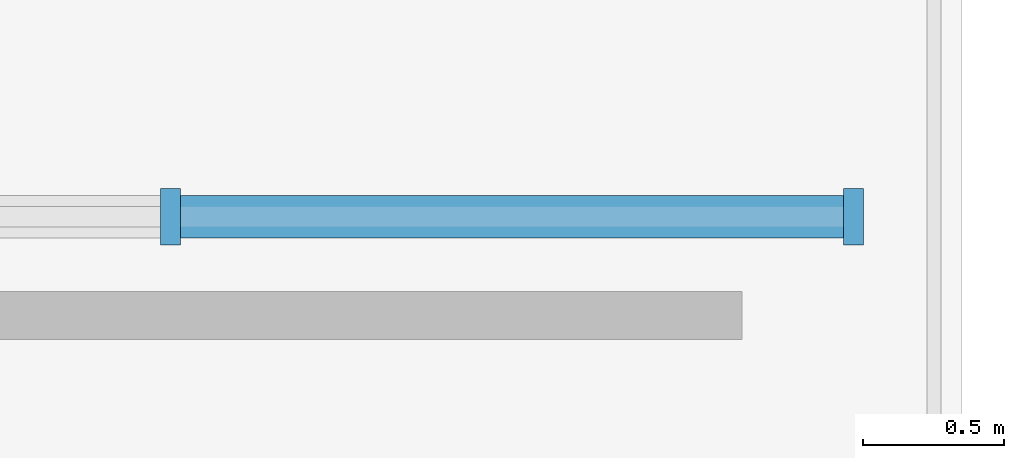
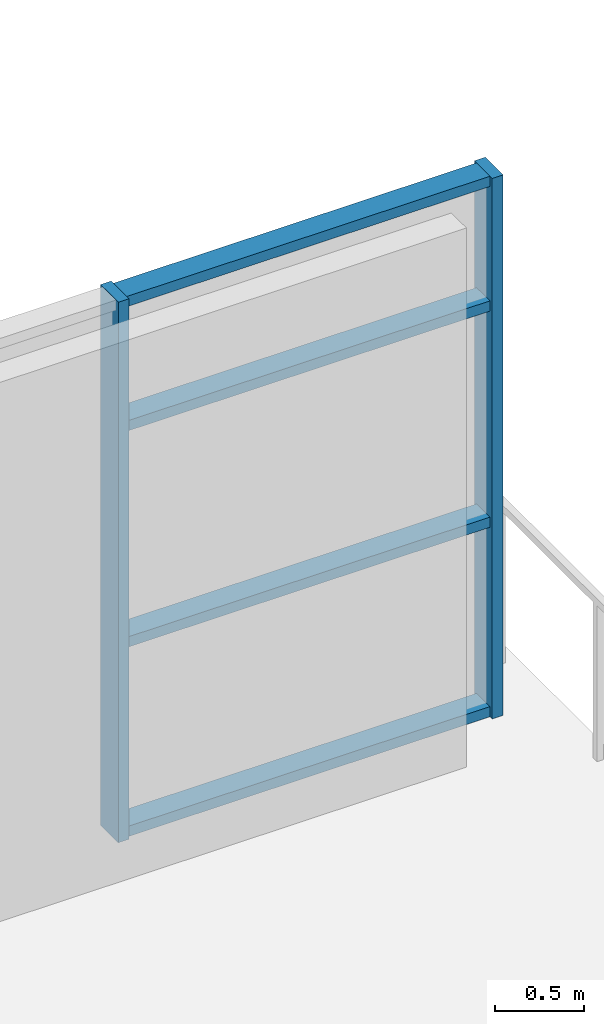
# One storey, part 43 of 83: 6 members, 1 element without a shape of its own.
"""IFC4 building model written with IfcOpenShell, lengths in metres."""

import ifcopenshell
import ifcopenshell.guid

model = None  # the IFC model being written
_history = None  # IfcOwnerHistory: only IFC2X3 demands one
_inside = {}  # id of a spatial element -> (the spatial element, [elements in it])
_under = {}  # id of a project, library or spatial element -> (it, [spatial elements below it])
_declared = {}  # id of a project -> (the project, [libraries it declares])
_typed = {}  # id of a type object -> (the type object, [elements of that type])
_made_of = {}  # id of a material, layer set ... -> (it, [elements and type objects made of it])


def new_model(schema):
    """Start an empty IFC model of exactly this schema.

    Asked for "IFC4X3", IfcOpenShell would pick the latest addendum, in which some entities
    have other attributes; the version numbers below select the first issue.
    IFC2X3 requires an IfcOwnerHistory on every rooted entity: one is made here for all.
    """
    global model, _history
    if schema == "IFC4X3":
        model = ifcopenshell.file(schema_version=(4, 3, 0, 0))
    else:
        model = ifcopenshell.file(schema=schema)
    _inside.clear()
    _under.clear()
    _declared.clear()
    _typed.clear()
    _made_of.clear()
    _history = None
    if model.schema == "IFC2X3":
        org = make("IfcOrganization", Name="unknown")
        user = make(
            "IfcPersonAndOrganization",
            ThePerson=make("IfcPerson", FamilyName="unknown"),
            TheOrganization=org,
        )
        app = make(
            "IfcApplication",
            ApplicationDeveloper=org,
            Version="unknown",
            ApplicationFullName="unknown",
            ApplicationIdentifier="unknown",
        )
        _history = make(
            "IfcOwnerHistory",
            OwningUser=user,
            OwningApplication=app,
            ChangeAction="ADDED",
            CreationDate=0,
        )
    return model


def make(cls, **values):
    """One entity of the class cls with the attributes given. An attribute that is None is left unset."""
    return model.create_entity(
        cls, **{name: value for name, value in values.items() if value is not None}
    )


def rooted(cls, **values):
    """An entity with a GlobalId (a new one), such as an element, a storey or a relation."""
    return make(cls, GlobalId=ifcopenshell.guid.new(), OwnerHistory=_history, **values)


def si_unit(unit_type, name, prefix=None):
    """IfcSIUnit, for example si_unit("LENGTHUNIT", "METRE", prefix="MILLI")."""
    return make("IfcSIUnit", UnitType=unit_type, Prefix=prefix, Name=name)


def assignment(units):
    """IfcUnitAssignment: the units of a project."""
    return None if units is None else make("IfcUnitAssignment", Units=units)


def point(xyz):
    """IfcCartesianPoint."""
    return None if xyz is None else make("IfcCartesianPoint", Coordinates=xyz)


def direction(xyz):
    """IfcDirection."""
    return None if xyz is None else make("IfcDirection", DirectionRatios=xyz)


def frame(location, z_axis=None, x_axis=None):
    """IfcAxis2Placement3D, a coordinate frame: its origin and axes. An axis left out is left unset."""
    return make(
        "IfcAxis2Placement3D",
        Location=point(location),
        Axis=direction(z_axis),
        RefDirection=direction(x_axis),
    )


def frame_2d(location, x_axis=None):
    """IfcAxis2Placement2D, a coordinate frame in the plane: its origin and x axis."""
    return make(
        "IfcAxis2Placement2D", Location=point(location), RefDirection=direction(x_axis)
    )


def origin():
    """The frame at (0, 0, 0) with its axes left unset."""
    return frame((0.0, 0.0, 0.0))


def origin_2d():
    """The frame at (0, 0) in the plane with its x axis left unset."""
    return frame_2d((0.0, 0.0))


def place(relative_to, where):
    """IfcLocalPlacement: puts the frame where relative to a parent placement (None: the world)."""
    return make(
        "IfcLocalPlacement", PlacementRelTo=relative_to, RelativePlacement=where
    )


def context(
    kind, dimensions, precision=None, world=None, true_north=None, identifier=None
):
    """IfcGeometricRepresentationContext, for example the 3D "Model" context."""
    return make(
        "IfcGeometricRepresentationContext",
        ContextIdentifier=identifier,
        ContextType=kind,
        CoordinateSpaceDimension=dimensions,
        Precision=precision,
        WorldCoordinateSystem=world,
        TrueNorth=true_north,
    )


def subcontext(parent, identifier, kind, view, scale=None):
    """IfcGeometricRepresentationSubContext, for example "Body" below "Model"."""
    return make(
        "IfcGeometricRepresentationSubContext",
        ContextIdentifier=identifier,
        ContextType=kind,
        ParentContext=parent,
        TargetScale=scale,
        TargetView=view,
    )


def project(units=None, contexts=None):
    """IfcProject with its units and contexts."""
    return rooted(
        "IfcProject",
        Name="project",
        RepresentationContexts=contexts,
        UnitsInContext=assignment(units),
    )


def spatial(cls, under=None, at=None, **own):
    """A site, building, storey or space (cls), placed at a placement, below another one or the project."""
    s = rooted(cls, ObjectPlacement=at, **own)
    if under is not None:
        _under.setdefault(under.id(), (under, []))[1].append(s)
    return s


def profile(cls, at=None, kind="AREA", **sizes):
    """A parametric profile (cls). Its sizes go by their IFC names, for example OverallWidth=200.0."""
    return make(cls, ProfileType=kind, Position=at, **sizes)


def rectangle(**sizes):
    """IfcRectangleProfileDef."""
    return profile("IfcRectangleProfileDef", **sizes)


def extrude(swept, where, along, depth):
    """IfcExtrudedAreaSolid: the profile swept, set in the frame where, extruded along a direction by depth."""
    return make(
        "IfcExtrudedAreaSolid",
        SweptArea=swept,
        Position=where,
        ExtrudedDirection=direction(along),
        Depth=depth,
    )


def shape(context_of_items, identifier, shape_type, items):
    """IfcShapeRepresentation: the items that make up one representation, for example the "Body"."""
    return make(
        "IfcShapeRepresentation",
        ContextOfItems=context_of_items,
        RepresentationIdentifier=identifier,
        RepresentationType=shape_type,
        Items=items,
    )


def material(Name=None, Category=None):
    """IfcMaterial."""
    return make("IfcMaterial", Name=Name, Category=Category)


def material_profile(
    of_material, cross_section, Name=None, Category=None, Priority=None
):
    """IfcMaterialProfile: a cross section and its material."""
    return make(
        "IfcMaterialProfile",
        Name=Name,
        Material=of_material,
        Profile=cross_section,
        Priority=Priority,
        Category=Category,
    )


def profile_set(profiles, Name=None, composite=None):
    """IfcMaterialProfileSet."""
    return make(
        "IfcMaterialProfileSet",
        Name=Name,
        MaterialProfiles=profiles,
        CompositeProfile=composite,
    )


def made_of(thing, what):
    """Note that an element or type object is made of a material, layer set ...; save() writes the relation."""
    if what is not None:
        _made_of.setdefault(what.id(), (what, []))[1].append(thing)
    return thing


def type_object(cls, material=None, **own):
    """A type object (cls), such as IfcWallType, which elements share."""
    return made_of(rooted(cls, **own), material)


def element(
    cls,
    number,
    at=None,
    inside=None,
    cuts=None,
    type_object=None,
    material=None,
    context=None,
    identifier="Body",
    shape_type=None,
    held_by="IfcProductDefinitionShape",
    body=None,
    shapes=None,
    **own,
):
    """One element of the class cls, such as IfcWall. Its Tag is "e" and its number.

    at: its placement. inside: the storey or other place that contains it. cuts: it is an
    opening in that element (IfcRelVoidsElement). A single representation is given by context,
    identifier, shape_type and body (its items); several are given by shapes. held_by: the class
    of the entity that holds the representations. save() writes the other relations.
    """
    e = rooted(cls, Tag="e%d" % number, ObjectPlacement=at, **own)
    if body is not None:
        shapes = [shape(context, identifier, shape_type, body)]
    if shapes is not None:
        e.Representation = make(held_by, Representations=shapes)
    if inside is not None:
        _inside.setdefault(inside.id(), (inside, []))[1].append(e)
    if cuts is not None:
        rooted(
            "IfcRelVoidsElement", RelatingBuildingElement=cuts, RelatedOpeningElement=e
        )
    if type_object is not None:
        _typed.setdefault(type_object.id(), (type_object, []))[1].append(e)
    return made_of(e, material)


def aggregate(whole, parts):
    """IfcRelAggregates: a whole, such as a stair, and the parts it consists of."""
    return rooted("IfcRelAggregates", RelatingObject=whole, RelatedObjects=parts)


def save(model, path):
    """Write the relations noted so far, then the file.

    IfcRelAggregates (storeys below a building ...), IfcRelContainedInSpatialStructure (elements
    in a storey), IfcRelDefinesByType, IfcRelAssociatesMaterial and IfcRelDeclares: one each for
    every whole, place, type object, material and project.
    """
    for whole, parts in _under.values():
        aggregate(whole, parts)
    for where, things in _inside.values():
        rooted(
            "IfcRelContainedInSpatialStructure",
            RelatedElements=things,
            RelatingStructure=where,
        )
    for kind, things in _typed.values():
        rooted("IfcRelDefinesByType", RelatedObjects=things, RelatingType=kind)
    for what, things in _made_of.values():
        rooted("IfcRelAssociatesMaterial", RelatedObjects=things, RelatingMaterial=what)
    for by, libraries in _declared.values():
        rooted("IfcRelDeclares", RelatingContext=by, RelatedDefinitions=libraries)
    model.write(path)


model = new_model("IFC4")

# Units and contexts
model_context = context("Model", 3, precision=1e-05, world=origin(), true_north=direction((0.0, 1.0)))
body_context = subcontext(model_context, "Body", "Model", "MODEL_VIEW")
ifc_project = project(units=[si_unit("LENGTHUNIT", "METRE"), si_unit("AREAUNIT", "SQUARE_METRE"), si_unit("VOLUMEUNIT", "CUBIC_METRE"), si_unit("PLANEANGLEUNIT", "RADIAN"), si_unit("MASSUNIT", "GRAM", prefix="KILO")], contexts=[model_context])

# Site, building, storey
site_placement = place(None, origin())
site = spatial("IfcSite", under=ifc_project, at=site_placement, CompositionType="ELEMENT")
building_placement = place(site_placement, origin())
building = spatial("IfcBuilding", under=site, at=building_placement, Name="Saryqyr Civic Hall", CompositionType="ELEMENT")
storey_placement = place(building_placement, frame((0.0, 0.0, 9.14990234375)))
storey = spatial("IfcBuildingStorey", under=building, at=storey_placement, Name="L02", CompositionType="ELEMENT", Elevation=9.14990234375)

# Curtain wall, members
ifc_material_1 = material(Name="Anodised aluminium and triple low-E glass", Category="aluminium")
curtain_wall_type = type_object("IfcCurtainWallType", Name="ENV-CW-HVY-69", PredefinedType="NOTDEFINED", material=ifc_material_1)
curtain_wall_placement = place(storey_placement, origin())
curtain_wall = element("IfcCurtainWall", 1, at=curtain_wall_placement, inside=storey, type_object=curtain_wall_type, Name="Curtain wall V2-PORTAL-CW-N-L02-2", PredefinedType="NOTDEFINED")
ifc_material_2 = material(Name="Anodised aluminium", Category="aluminium")
ifc_material_profile_1 = material_profile(ifc_material_2, rectangle(XDim=0.070068359375, YDim=0.199951171875, at=origin_2d()), Name="ALU MULLION 70x200")
ifc_profile_set_1 = profile_set([ifc_material_profile_1], Name="Anodised aluminium")
member_type_1 = type_object("IfcMemberType", Name="ENV-CW-MUL-220", PredefinedType="MULLION", material=ifc_profile_set_1)
member_1_placement = place(storey_placement, frame((65.594482421875, 134.14990234375, 0.0), z_axis=(0.0, 0.0, 1.0), x_axis=(1.0, 0.0, 0.0)))
member_1 = element("IfcMember", 2, at=member_1_placement, type_object=member_type_1, Name="CW-69 mullion 3", PredefinedType="MULLION", context=body_context, shape_type="SweptSolid", body=[
    extrude(rectangle(XDim=0.070068359375, YDim=0.199951171875, at=origin_2d()), origin(), (0.0, 0.0, 1.0), 3.7001953125),
])
member_2_placement = place(storey_placement, frame((68.014892578125, 134.14990234375, 0.0), z_axis=(0.0, 0.0, 1.0), x_axis=(1.0, 0.0, 0.0)))
member_2 = element("IfcMember", 3, at=member_2_placement, type_object=member_type_1, Name="CW-69 mullion 4", PredefinedType="MULLION", context=body_context, shape_type="SweptSolid", body=[
    extrude(rectangle(XDim=0.070068359375, YDim=0.199951171875, at=origin_2d()), origin(), (0.0, 0.0, 1.0), 3.7001953125),
])
ifc_material_profile_2 = material_profile(ifc_material_2, rectangle(XDim=0.14990234375, YDim=0.070068359375, at=origin_2d()), Name="ALU TRANSOM 150x70")
ifc_profile_set_2 = profile_set([ifc_material_profile_2], Name="Anodised aluminium")
member_type_2 = type_object("IfcMemberType", Name="ENV-CW-TRN-180", PredefinedType="USERDEFINED", material=ifc_profile_set_2)
member_3_placement = place(storey_placement, frame((65.62939453125, 134.14990234375, 0.03515625), z_axis=(1.0, 0.0, 0.0), x_axis=(0.0, 1.0, 0.0)))
member_3 = element("IfcMember", 4, at=member_3_placement, type_object=member_type_2, Name="CW-69 transom 3.1", ObjectType="TRANSOM", PredefinedType="USERDEFINED", context=body_context, shape_type="SweptSolid", body=[
    extrude(rectangle(XDim=0.14990234375, YDim=0.070068359375, at=origin_2d()), origin(), (0.0, 0.0, 1.0), 2.3505859375),
])
member_4_placement = place(storey_placement, frame((65.62939453125, 134.14990234375, 1.33203125), z_axis=(1.0, 0.0, 0.0), x_axis=(0.0, 1.0, 0.0)))
member_4 = element("IfcMember", 5, at=member_4_placement, type_object=member_type_2, Name="CW-69 transom 3.2", ObjectType="TRANSOM", PredefinedType="USERDEFINED", context=body_context, shape_type="SweptSolid", body=[
    extrude(rectangle(XDim=0.14990234375, YDim=0.070068359375, at=origin_2d()), origin(), (0.0, 0.0, 1.0), 2.3505859375),
])
member_5_placement = place(storey_placement, frame((65.62939453125, 134.14990234375, 2.81201171875), z_axis=(1.0, 0.0, 0.0), x_axis=(0.0, 1.0, 0.0)))
member_5 = element("IfcMember", 6, at=member_5_placement, type_object=member_type_2, Name="CW-69 transom 3.3", ObjectType="TRANSOM", PredefinedType="USERDEFINED", context=body_context, shape_type="SweptSolid", body=[
    extrude(rectangle(XDim=0.14990234375, YDim=0.070068359375, at=origin_2d()), origin(), (0.0, 0.0, 1.0), 2.3505859375),
])
member_6_placement = place(storey_placement, frame((65.62939453125, 134.14990234375, 3.6650390625), z_axis=(1.0, 0.0, 0.0), x_axis=(0.0, 1.0, 0.0)))
member_6 = element("IfcMember", 7, at=member_6_placement, type_object=member_type_2, Name="CW-69 transom 3.4", ObjectType="TRANSOM", PredefinedType="USERDEFINED", context=body_context, shape_type="SweptSolid", body=[
    extrude(rectangle(XDim=0.14990234375, YDim=0.070068359375, at=origin_2d()), origin(), (0.0, 0.0, 1.0), 2.3505859375),
])
aggregate(curtain_wall, [member_1, member_2, member_3, member_4, member_5, member_6])

save(model, "model.ifc")
